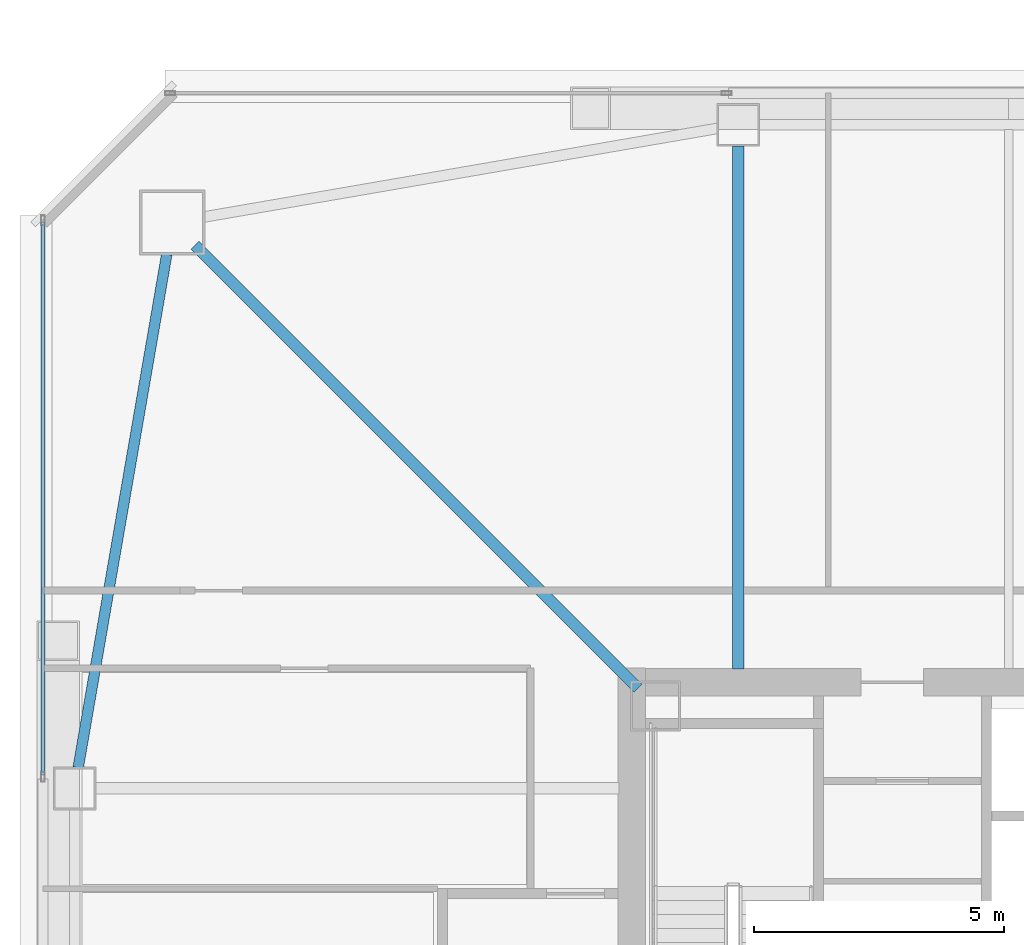
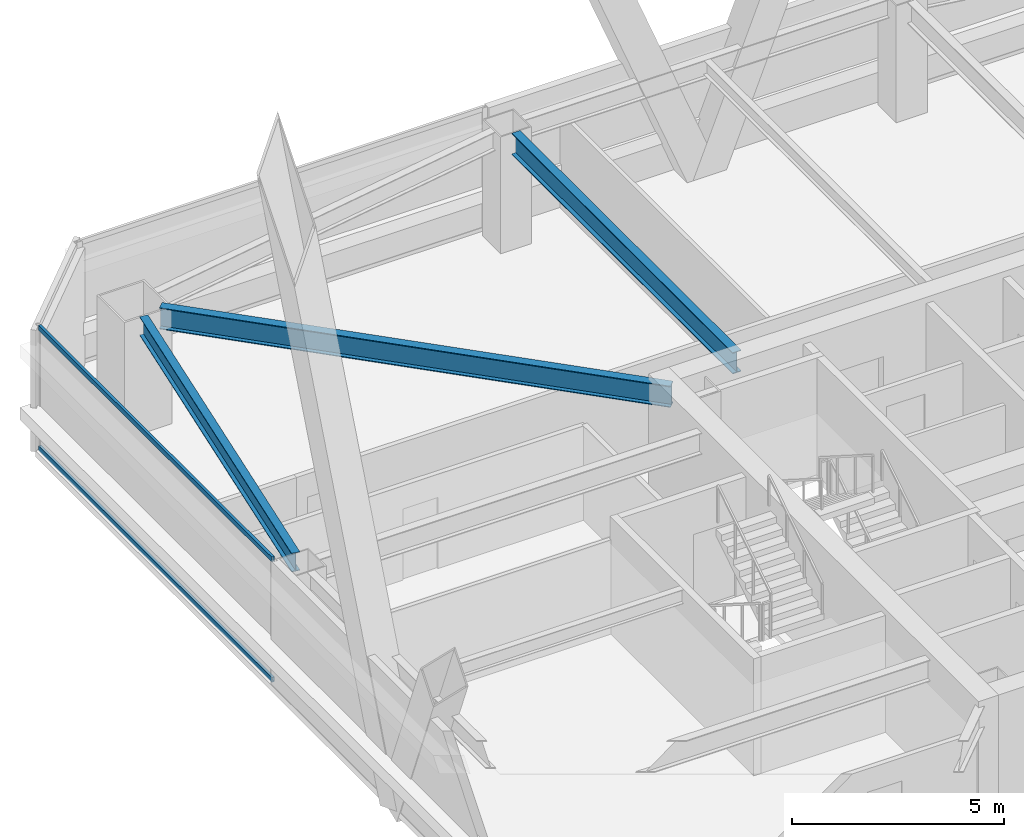
# One storey, part 14 of 50: 3 beams, 2 members, 1 element without a shape of its own.
"""IFC4 building model written with IfcOpenShell, lengths in metres."""

import ifcopenshell
import ifcopenshell.guid

model = None  # the IFC model being written
_history = None  # IfcOwnerHistory: only IFC2X3 demands one
_inside = {}  # id of a spatial element -> (the spatial element, [elements in it])
_under = {}  # id of a project, library or spatial element -> (it, [spatial elements below it])
_declared = {}  # id of a project -> (the project, [libraries it declares])
_typed = {}  # id of a type object -> (the type object, [elements of that type])
_made_of = {}  # id of a material, layer set ... -> (it, [elements and type objects made of it])


def new_model(schema):
    """Start an empty IFC model of exactly this schema.

    Asked for "IFC4X3", IfcOpenShell would pick the latest addendum, in which some entities
    have other attributes; the version numbers below select the first issue.
    IFC2X3 requires an IfcOwnerHistory on every rooted entity: one is made here for all.
    """
    global model, _history
    if schema == "IFC4X3":
        model = ifcopenshell.file(schema_version=(4, 3, 0, 0))
    else:
        model = ifcopenshell.file(schema=schema)
    _inside.clear()
    _under.clear()
    _declared.clear()
    _typed.clear()
    _made_of.clear()
    _history = None
    if model.schema == "IFC2X3":
        org = make("IfcOrganization", Name="unknown")
        user = make(
            "IfcPersonAndOrganization",
            ThePerson=make("IfcPerson", FamilyName="unknown"),
            TheOrganization=org,
        )
        app = make(
            "IfcApplication",
            ApplicationDeveloper=org,
            Version="unknown",
            ApplicationFullName="unknown",
            ApplicationIdentifier="unknown",
        )
        _history = make(
            "IfcOwnerHistory",
            OwningUser=user,
            OwningApplication=app,
            ChangeAction="ADDED",
            CreationDate=0,
        )
    return model


def make(cls, **values):
    """One entity of the class cls with the attributes given. An attribute that is None is left unset."""
    return model.create_entity(
        cls, **{name: value for name, value in values.items() if value is not None}
    )


def rooted(cls, **values):
    """An entity with a GlobalId (a new one), such as an element, a storey or a relation."""
    return make(cls, GlobalId=ifcopenshell.guid.new(), OwnerHistory=_history, **values)


def si_unit(unit_type, name, prefix=None):
    """IfcSIUnit, for example si_unit("LENGTHUNIT", "METRE", prefix="MILLI")."""
    return make("IfcSIUnit", UnitType=unit_type, Prefix=prefix, Name=name)


def assignment(units):
    """IfcUnitAssignment: the units of a project."""
    return None if units is None else make("IfcUnitAssignment", Units=units)


def point(xyz):
    """IfcCartesianPoint."""
    return None if xyz is None else make("IfcCartesianPoint", Coordinates=xyz)


def direction(xyz):
    """IfcDirection."""
    return None if xyz is None else make("IfcDirection", DirectionRatios=xyz)


def frame(location, z_axis=None, x_axis=None):
    """IfcAxis2Placement3D, a coordinate frame: its origin and axes. An axis left out is left unset."""
    return make(
        "IfcAxis2Placement3D",
        Location=point(location),
        Axis=direction(z_axis),
        RefDirection=direction(x_axis),
    )


def frame_2d(location, x_axis=None):
    """IfcAxis2Placement2D, a coordinate frame in the plane: its origin and x axis."""
    return make(
        "IfcAxis2Placement2D", Location=point(location), RefDirection=direction(x_axis)
    )


def origin():
    """The frame at (0, 0, 0) with its axes left unset."""
    return frame((0.0, 0.0, 0.0))


def origin_2d():
    """The frame at (0, 0) in the plane with its x axis left unset."""
    return frame_2d((0.0, 0.0))


def place(relative_to, where):
    """IfcLocalPlacement: puts the frame where relative to a parent placement (None: the world)."""
    return make(
        "IfcLocalPlacement", PlacementRelTo=relative_to, RelativePlacement=where
    )


def context(
    kind, dimensions, precision=None, world=None, true_north=None, identifier=None
):
    """IfcGeometricRepresentationContext, for example the 3D "Model" context."""
    return make(
        "IfcGeometricRepresentationContext",
        ContextIdentifier=identifier,
        ContextType=kind,
        CoordinateSpaceDimension=dimensions,
        Precision=precision,
        WorldCoordinateSystem=world,
        TrueNorth=true_north,
    )


def subcontext(parent, identifier, kind, view, scale=None):
    """IfcGeometricRepresentationSubContext, for example "Body" below "Model"."""
    return make(
        "IfcGeometricRepresentationSubContext",
        ContextIdentifier=identifier,
        ContextType=kind,
        ParentContext=parent,
        TargetScale=scale,
        TargetView=view,
    )


def project(units=None, contexts=None):
    """IfcProject with its units and contexts."""
    return rooted(
        "IfcProject",
        Name="project",
        RepresentationContexts=contexts,
        UnitsInContext=assignment(units),
    )


def spatial(cls, under=None, at=None, **own):
    """A site, building, storey or space (cls), placed at a placement, below another one or the project."""
    s = rooted(cls, ObjectPlacement=at, **own)
    if under is not None:
        _under.setdefault(under.id(), (under, []))[1].append(s)
    return s


def profile(cls, at=None, kind="AREA", **sizes):
    """A parametric profile (cls). Its sizes go by their IFC names, for example OverallWidth=200.0."""
    return make(cls, ProfileType=kind, Position=at, **sizes)


def hollow_rectangle(**sizes):
    """IfcRectangleHollowProfileDef."""
    return profile("IfcRectangleHollowProfileDef", **sizes)


def i_section(**sizes):
    """IfcIShapeProfileDef."""
    return profile("IfcIShapeProfileDef", **sizes)


def extrude(swept, where, along, depth):
    """IfcExtrudedAreaSolid: the profile swept, set in the frame where, extruded along a direction by depth."""
    return make(
        "IfcExtrudedAreaSolid",
        SweptArea=swept,
        Position=where,
        ExtrudedDirection=direction(along),
        Depth=depth,
    )


def shape(context_of_items, identifier, shape_type, items):
    """IfcShapeRepresentation: the items that make up one representation, for example the "Body"."""
    return make(
        "IfcShapeRepresentation",
        ContextOfItems=context_of_items,
        RepresentationIdentifier=identifier,
        RepresentationType=shape_type,
        Items=items,
    )


def material(Name=None, Category=None):
    """IfcMaterial."""
    return make("IfcMaterial", Name=Name, Category=Category)


def material_profile(
    of_material, cross_section, Name=None, Category=None, Priority=None
):
    """IfcMaterialProfile: a cross section and its material."""
    return make(
        "IfcMaterialProfile",
        Name=Name,
        Material=of_material,
        Profile=cross_section,
        Priority=Priority,
        Category=Category,
    )


def profile_set(profiles, Name=None, composite=None):
    """IfcMaterialProfileSet."""
    return make(
        "IfcMaterialProfileSet",
        Name=Name,
        MaterialProfiles=profiles,
        CompositeProfile=composite,
    )


def made_of(thing, what):
    """Note that an element or type object is made of a material, layer set ...; save() writes the relation."""
    if what is not None:
        _made_of.setdefault(what.id(), (what, []))[1].append(thing)
    return thing


def type_object(cls, material=None, **own):
    """A type object (cls), such as IfcWallType, which elements share."""
    return made_of(rooted(cls, **own), material)


def element(
    cls,
    number,
    at=None,
    inside=None,
    cuts=None,
    type_object=None,
    material=None,
    context=None,
    identifier="Body",
    shape_type=None,
    held_by="IfcProductDefinitionShape",
    body=None,
    shapes=None,
    **own,
):
    """One element of the class cls, such as IfcWall. Its Tag is "e" and its number.

    at: its placement. inside: the storey or other place that contains it. cuts: it is an
    opening in that element (IfcRelVoidsElement). A single representation is given by context,
    identifier, shape_type and body (its items); several are given by shapes. held_by: the class
    of the entity that holds the representations. save() writes the other relations.
    """
    e = rooted(cls, Tag="e%d" % number, ObjectPlacement=at, **own)
    if body is not None:
        shapes = [shape(context, identifier, shape_type, body)]
    if shapes is not None:
        e.Representation = make(held_by, Representations=shapes)
    if inside is not None:
        _inside.setdefault(inside.id(), (inside, []))[1].append(e)
    if cuts is not None:
        rooted(
            "IfcRelVoidsElement", RelatingBuildingElement=cuts, RelatedOpeningElement=e
        )
    if type_object is not None:
        _typed.setdefault(type_object.id(), (type_object, []))[1].append(e)
    return made_of(e, material)


def aggregate(whole, parts):
    """IfcRelAggregates: a whole, such as a stair, and the parts it consists of."""
    return rooted("IfcRelAggregates", RelatingObject=whole, RelatedObjects=parts)


def save(model, path):
    """Write the relations noted so far, then the file.

    IfcRelAggregates (storeys below a building ...), IfcRelContainedInSpatialStructure (elements
    in a storey), IfcRelDefinesByType, IfcRelAssociatesMaterial and IfcRelDeclares: one each for
    every whole, place, type object, material and project.
    """
    for whole, parts in _under.values():
        aggregate(whole, parts)
    for where, things in _inside.values():
        rooted(
            "IfcRelContainedInSpatialStructure",
            RelatedElements=things,
            RelatingStructure=where,
        )
    for kind, things in _typed.values():
        rooted("IfcRelDefinesByType", RelatedObjects=things, RelatingType=kind)
    for what, things in _made_of.values():
        rooted("IfcRelAssociatesMaterial", RelatedObjects=things, RelatingMaterial=what)
    for by, libraries in _declared.values():
        rooted("IfcRelDeclares", RelatingContext=by, RelatedDefinitions=libraries)
    model.write(path)


model = new_model("IFC4")

# Units and contexts
model_context = context("Model", 3, precision=1e-05, world=origin(), true_north=direction((0.0, 1.0)))
body_context = subcontext(model_context, "Body", "Model", "MODEL_VIEW")
ifc_project = project(units=[si_unit("LENGTHUNIT", "METRE"), si_unit("AREAUNIT", "SQUARE_METRE"), si_unit("VOLUMEUNIT", "CUBIC_METRE"), si_unit("PLANEANGLEUNIT", "RADIAN"), si_unit("MASSUNIT", "GRAM", prefix="KILO")], contexts=[model_context])

# Site, building, storey
site_placement = place(None, origin())
site = spatial("IfcSite", under=ifc_project, at=site_placement, CompositionType="ELEMENT")
building_placement = place(site_placement, origin())
building = spatial("IfcBuilding", under=site, at=building_placement, Name="Tashvorn Skyway Center", CompositionType="ELEMENT")
storey_placement = place(building_placement, frame((0.0, 0.0, 114.39990234375)))
storey = spatial("IfcBuildingStorey", under=building, at=storey_placement, Name="L30", CompositionType="ELEMENT", Elevation=114.39990234375)

# Beams
ifc_material_1 = material(Name="Steel ASTM A992 Grade 50", Category="steel")
ifc_material_profile_1 = material_profile(ifc_material_1, i_section(OverallWidth=0.22998046875, OverallDepth=0.616943359375, WebThickness=0.01318359375, FlangeThickness=0.022216796875, at=origin_2d()), Name="W24X94")
ifc_profile_set_1 = profile_set([ifc_material_profile_1], Name="Steel ASTM A992 Grade 50")
beam_type_1 = type_object("IfcBeamType", Name="BM-BEAM-W24X94", PredefinedType="BEAM", material=ifc_profile_set_1)
beam_1_placement = place(storey_placement, frame((25.756103515625, 48.243896484375, 3.0615234375), z_axis=(0.707106781187, -0.707106781187, 0.0), x_axis=(0.707106781187, 0.707106781187, 0.0)))
element("IfcBeam", 1, at=beam_1_placement, inside=storey, type_object=beam_type_1, Name="Tower 1 L30 Primary Floor Girder MC-NW", PredefinedType="BEAM", context=body_context, shape_type="SweptSolid", body=[
    extrude(i_section(OverallWidth=0.22998046875, OverallDepth=0.616943359375, WebThickness=0.01318359375, FlangeThickness=0.022216796875, at=origin_2d()), origin(), (0.0, 0.0, 1.0), 12.50732421875),
])
beam_2_placement = place(storey_placement, frame((36.60009765625, 50.22998046875, 3.0615234375), z_axis=(0.0, -1.0, 0.0), x_axis=(1.0, 0.0, 0.0)))
element("IfcBeam", 2, at=beam_2_placement, inside=storey, type_object=beam_type_1, Name="Tower 1 L30 Primary Floor Girder FC-N2", PredefinedType="BEAM", context=body_context, shape_type="SweptSolid", body=[
    extrude(i_section(OverallWidth=0.22998046875, OverallDepth=0.616943359375, WebThickness=0.01318359375, FlangeThickness=0.022216796875, at=origin_2d()), origin(), (0.0, 0.0, 1.0), 10.449951171875),
])
ifc_material_profile_2 = material_profile(ifc_material_1, i_section(OverallWidth=0.2109375, OverallDepth=0.5390625, WebThickness=0.01171875, FlangeThickness=0.018798828125, at=origin_2d()), Name="W21X73")
ifc_profile_set_2 = profile_set([ifc_material_profile_2], Name="Steel ASTM A992 Grade 50")
beam_type_2 = type_object("IfcBeamType", Name="BM-SPANDREL-W21X73", PredefinedType="SPANDREL", material=ifc_profile_set_2)
beam_3_placement = place(storey_placement, frame((25.1904296875, 48.064453125, 3.1005859375), z_axis=(-0.170067250846, -0.985432458462, 0.0), x_axis=(0.985432458462, -0.170067250846, 0.0)))
element("IfcBeam", 3, at=beam_3_placement, inside=storey, type_object=beam_type_2, Name="Tower 1 L30 Spandrel Beam 10", PredefinedType="SPANDREL", context=body_context, shape_type="SweptSolid", body=[
    extrude(i_section(OverallWidth=0.2109375, OverallDepth=0.5390625, WebThickness=0.01171875, FlangeThickness=0.018798828125, at=origin_2d()), origin(), (0.0, 0.0, 1.0), 10.402099609375),
])

# Curtain wall, members
ifc_material_2 = material(Name="Thermally broken bronze-anodized aluminium 6063-T6", Category="aluminium")
curtain_wall_type = type_object("IfcCurtainWallType", Name="CW-CW-Z3", PredefinedType="NOTDEFINED", material=ifc_material_2)
curtain_wall_placement = place(storey_placement, origin())
curtain_wall = element("IfcCurtainWall", 4, at=curtain_wall_placement, inside=storey, type_object=curtain_wall_type, Name="Tower 1 L30 West Unitised Curtain Wall Glazing Group 2", PredefinedType="NOTDEFINED")
ifc_material_profile_3 = material_profile(ifc_material_2, hollow_rectangle(XDim=0.074951171875, YDim=0.139892578125, WallThickness=0.004150390625, at=origin_2d()), Name="ALU-TRAN-75x140")
ifc_profile_set_3 = profile_set([ifc_material_profile_3], Name="Thermally broken bronze-anodized aluminium 6063-T6")
member_type = type_object("IfcMemberType", Name="CWT-CW-Z3", PredefinedType="USERDEFINED", material=ifc_profile_set_3)
member_1_placement = place(storey_placement, frame((22.719970703125, 37.668212890625, 0.03759765625), z_axis=(0.0, 1.0, 0.0), x_axis=(-1.0, 0.0, 0.0)))
member_1 = element("IfcMember", 5, at=member_1_placement, type_object=member_type, Name="CW-Z3 transom 1.1", ObjectType="TRANSOM", PredefinedType="USERDEFINED", context=body_context, shape_type="SweptSolid", body=[
    extrude(hollow_rectangle(XDim=0.074951171875, YDim=0.139892578125, WallThickness=0.004150390625, at=origin_2d()), origin(), (0.0, 0.0, 1.0), 11.036865234375),
])
member_2_placement = place(storey_placement, frame((22.719970703125, 37.668212890625, 3.5126953125), z_axis=(0.0, 1.0, 0.0), x_axis=(-1.0, 0.0, 0.0)))
member_2 = element("IfcMember", 6, at=member_2_placement, type_object=member_type, Name="CW-Z3 transom 1.2", ObjectType="TRANSOM", PredefinedType="USERDEFINED", context=body_context, shape_type="SweptSolid", body=[
    extrude(hollow_rectangle(XDim=0.074951171875, YDim=0.139892578125, WallThickness=0.004150390625, at=origin_2d()), origin(), (0.0, 0.0, 1.0), 11.036865234375),
])
aggregate(curtain_wall, [member_1, member_2])

save(model, "model.ifc")
